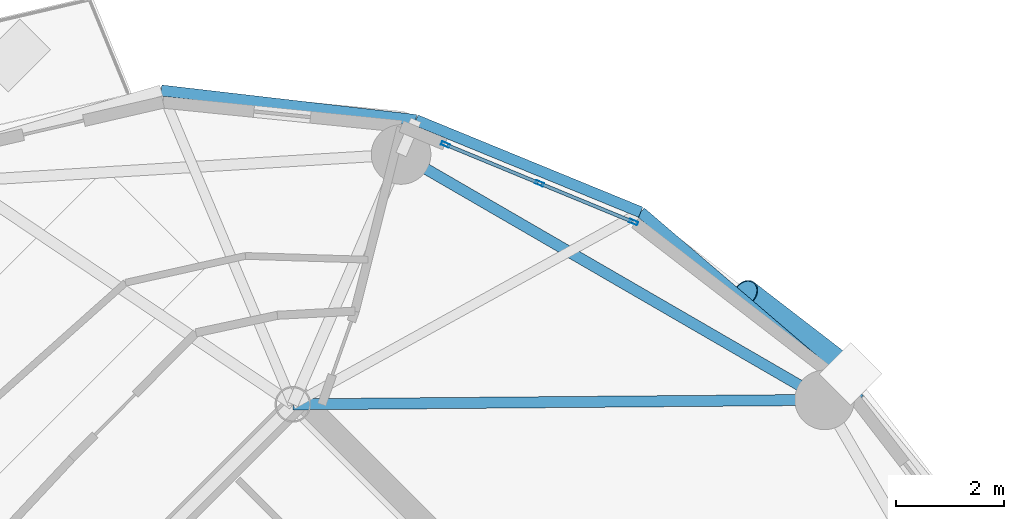
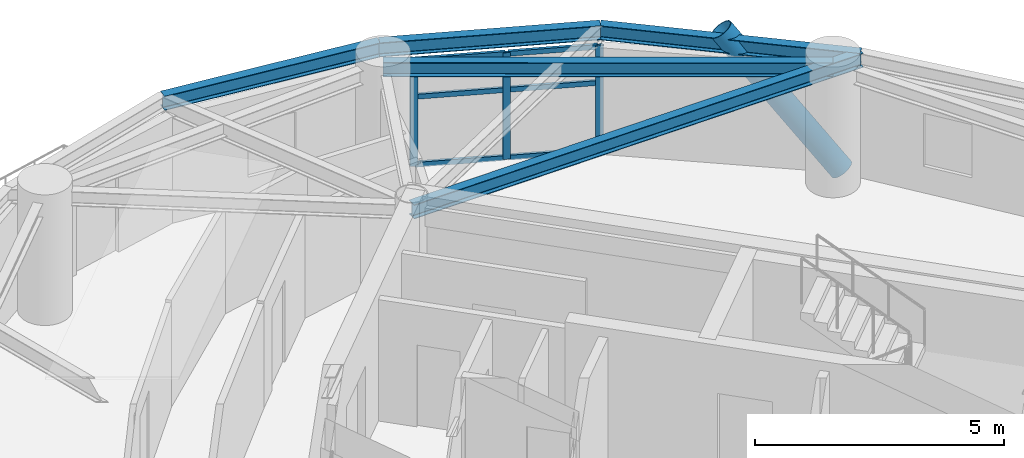
# One storey, part 5 of 16: 10 members, 5 beams, 1 element without a shape of its own.
"""IFC4 building model written with IfcOpenShell, lengths in metres."""

from ifc_helpers import new_model, si_unit, direction, frame, origin, origin_2d, place, context, subcontext, project, spatial, hollow_rectangle, hollow_circle, i_section, extrude, material, layer, layer_set, material_profile, profile_set, type_object, element, aggregate, save


model = new_model("IFC4")

# Units and contexts
model_context = context("Model", 3, precision=1e-05, world=origin(), true_north=direction((0.0, 1.0)))
body_context = subcontext(model_context, "Body", "Model", "MODEL_VIEW")
ifc_project = project(units=[si_unit("LENGTHUNIT", "METRE"), si_unit("AREAUNIT", "SQUARE_METRE"), si_unit("VOLUMEUNIT", "CUBIC_METRE"), si_unit("PLANEANGLEUNIT", "RADIAN"), si_unit("MASSUNIT", "GRAM", prefix="KILO")], contexts=[model_context])

# Site, building, storey
site_placement = place(None, origin())
site = spatial("IfcSite", under=ifc_project, at=site_placement, CompositionType="ELEMENT")
building_placement = place(site_placement, origin())
building = spatial("IfcBuilding", under=site, at=building_placement, Name="Cununo Teusaquillo Station Towers", CompositionType="ELEMENT")
storey_placement = place(building_placement, frame((0.0, 0.0, 226.050048828125)))
storey = spatial("IfcBuildingStorey", under=building, at=storey_placement, Name="L72", CompositionType="ELEMENT", Elevation=226.050048828125)

# Beams
ifc_material_1 = material(Name="Steel ASTM A572 Grade 50", Category="steel")
ifc_material_profile_1 = material_profile(ifc_material_1, i_section(OverallWidth=0.2041015625, OverallDepth=0.35009765625, WebThickness=0.008544921875, FlangeThickness=0.01513671875, FilletRadius=0.011962890625, at=origin_2d()), Name="W14X48")
ifc_profile_set_1 = profile_set([ifc_material_profile_1], Name="Steel ASTM A572 Grade 50")
beam_type_1 = type_object("IfcBeamType", Name="BM-RAD-G3", PredefinedType="BEAM", material=ifc_profile_set_1)
beam_1_placement = place(storey_placement, frame((56.29443359375, 33.024169921875, 2.81494140625), z_axis=(0.999964325253, 0.008446787673, 0.0), x_axis=(-0.008446787673, 0.999964325253, 0.0)))
element("IfcBeam", 1, at=beam_1_placement, inside=storey, type_object=beam_type_1, Name="L72 Tower B Continuous Overhanging Radial Girder 01", PredefinedType="BEAM", context=body_context, shape_type="SweptSolid", body=[
    extrude(i_section(OverallWidth=0.2041015625, OverallDepth=0.35009765625, WebThickness=0.008544921875, FlangeThickness=0.01513671875, FilletRadius=0.011962890625, at=origin_2d()), origin(), (0.0, 0.0, 1.0), 10.463134765625),
])
ifc_material_2 = material(Name="Steel ASTM A572 Grade 50", Category="steel")
ifc_material_profile_2 = material_profile(ifc_material_2, i_section(OverallWidth=0.2041015625, OverallDepth=0.35009765625, WebThickness=0.008544921875, FlangeThickness=0.01513671875, FilletRadius=0.011962890625, at=origin_2d()), Name="W14X48")
ifc_profile_set_2 = profile_set([ifc_material_profile_2], Name="Steel ASTM A572 Grade 50")
beam_type_2 = type_object("IfcBeamType", Name="BM-RING-Z4", PredefinedType="SPANDREL", material=ifc_profile_set_2)
beam_2_placement = place(storey_placement, frame((66.10693359375, 33.10693359375, 2.81494140625), z_axis=(-0.865267103202, 0.501311121078, 0.0), x_axis=(-0.501311121078, -0.865267103202, 0.0)))
element("IfcBeam", 2, at=beam_2_placement, inside=storey, type_object=beam_type_2, Name="L72 Tower B Structural Column Ring Girder 01", PredefinedType="SPANDREL", context=body_context, shape_type="SweptSolid", body=[
    extrude(i_section(OverallWidth=0.2041015625, OverallDepth=0.35009765625, WebThickness=0.008544921875, FlangeThickness=0.01513671875, FilletRadius=0.011962890625, at=origin_2d()), origin(), (0.0, 0.0, 1.0), 9.032958984375),
])
beam_3_placement = place(storey_placement, frame((66.757080078125, 33.112548828125, 2.81494140625), z_axis=(-0.760065778291, 0.649846145385, 0.0), x_axis=(-0.649846145385, -0.760065778291, 0.0)))
element("IfcBeam", 3, at=beam_3_placement, inside=storey, type_object=beam_type_2, Name="L72 Tower B Spandrel Ring Beam 01", PredefinedType="SPANDREL", context=body_context, shape_type="SweptSolid", body=[
    extrude(i_section(OverallWidth=0.2041015625, OverallDepth=0.35009765625, WebThickness=0.008544921875, FlangeThickness=0.01513671875, FilletRadius=0.011962890625, at=origin_2d()), origin(), (0.0, 0.0, 1.0), 5.320556640625),
])
beam_4_placement = place(storey_placement, frame((62.713134765625, 36.570068359375, 2.81494140625), z_axis=(-0.925283830437, 0.379275405388, 0.0), x_axis=(-0.379275405388, -0.925283830437, 0.0)))
element("IfcBeam", 4, at=beam_4_placement, inside=storey, type_object=beam_type_2, Name="L72 Tower B Spandrel Ring Beam 02", PredefinedType="SPANDREL", context=body_context, shape_type="SweptSolid", body=[
    extrude(i_section(OverallWidth=0.2041015625, OverallDepth=0.35009765625, WebThickness=0.008544921875, FlangeThickness=0.01513671875, FilletRadius=0.011962890625, at=origin_2d()), origin(), (0.0, 0.0, 1.0), 4.482177734375),
])
beam_5_placement = place(storey_placement, frame((58.56591796875, 38.27001953125, 2.81494140625), z_axis=(-0.993313022334, 0.115452326356, 0.0), x_axis=(-0.115452326356, -0.993313022334, 0.0)))
element("IfcBeam", 5, at=beam_5_placement, inside=storey, type_object=beam_type_2, Name="L72 Tower B Spandrel Ring Beam 03", PredefinedType="SPANDREL", context=body_context, shape_type="SweptSolid", body=[
    extrude(i_section(OverallWidth=0.2041015625, OverallDepth=0.35009765625, WebThickness=0.008544921875, FlangeThickness=0.01513671875, FilletRadius=0.011962890625, at=origin_2d()), origin(), (0.0, 0.0, 1.0), 4.732666015625),
])

# Curtain wall, members
ifc_material_3 = material(Name="Ceramic-fritted dark low-E double glazing", Category="glass")
ifc_layer = layer(ifc_material_3, 0.179931640625)
ifc_layer_set = layer_set([ifc_layer], Name="Ceramic-fritted dark low-E double glazing")
curtain_wall_type = type_object("IfcCurtainWallType", Name="CW-SYS-07", PredefinedType="USERDEFINED", material=ifc_layer_set)
curtain_wall_placement = place(storey_placement, origin())
curtain_wall = element("IfcCurtainWall", 6, at=curtain_wall_placement, inside=storey, type_object=curtain_wall_type, Name="L72 Tower B Facade Curtain Wall C01", ObjectType="FRITTED GLAZING", PredefinedType="USERDEFINED")
ifc_material_4 = material(Name="Anodised dark bronze aluminium EN AW-6063-T6", Category="aluminium")
ifc_material_profile_3 = material_profile(ifc_material_4, hollow_rectangle(XDim=0.06494140625, YDim=0.159912109375, WallThickness=0.00390625, at=origin_2d()), Name="CW-MULL-65x160")
ifc_profile_set_3 = profile_set([ifc_material_profile_3], Name="Anodised dark bronze aluminium EN AW-6063-T6")
member_type_1 = type_object("IfcMemberType", Name="CWM-160", PredefinedType="MULLION", material=ifc_profile_set_3)
member_1_placement = place(storey_placement, frame((59.111328125, 37.818359375, 0.0), z_axis=(0.0, 0.0, 1.0), x_axis=(0.381310513086, 0.924447019904, 0.0)))
member_1 = element("IfcMember", 7, at=member_1_placement, type_object=member_type_1, Name="CW-07 mullion 1", PredefinedType="MULLION", context=body_context, shape_type="SweptSolid", body=[
    extrude(hollow_rectangle(XDim=0.06494140625, YDim=0.159912109375, WallThickness=0.00390625, at=origin_2d()), origin(), (0.0, 0.0, 1.0), 2.612060546875),
])
member_2_placement = place(storey_placement, frame((60.84716796875, 37.102294921875, 0.0), z_axis=(0.0, 0.0, 1.0), x_axis=(0.381310513086, 0.924447019904, 0.0)))
member_2 = element("IfcMember", 8, at=member_2_placement, type_object=member_type_1, Name="CW-07 mullion 2", PredefinedType="MULLION", context=body_context, shape_type="SweptSolid", body=[
    extrude(hollow_rectangle(XDim=0.06494140625, YDim=0.159912109375, WallThickness=0.00390625, at=origin_2d()), origin(), (0.0, 0.0, 1.0), 2.612060546875),
])
member_3_placement = place(storey_placement, frame((62.583251953125, 36.38623046875, 0.0), z_axis=(0.0, 0.0, 1.0), x_axis=(0.381310513086, 0.924447019904, 0.0)))
member_3 = element("IfcMember", 9, at=member_3_placement, type_object=member_type_1, Name="CW-07 mullion 3", PredefinedType="MULLION", context=body_context, shape_type="SweptSolid", body=[
    extrude(hollow_rectangle(XDim=0.06494140625, YDim=0.159912109375, WallThickness=0.00390625, at=origin_2d()), origin(), (0.0, 0.0, 1.0), 2.612060546875),
])
ifc_material_5 = material(Name="Anodised dark bronze aluminium EN AW-6063-T6", Category="aluminium")
ifc_material_profile_4 = material_profile(ifc_material_5, hollow_rectangle(XDim=0.06494140625, YDim=0.1201171875, WallThickness=0.00390625, at=origin_2d()), Name="CW-TRAN-65x120")
ifc_profile_set_4 = profile_set([ifc_material_profile_4], Name="Anodised dark bronze aluminium EN AW-6063-T6")
member_type_2 = type_object("IfcMemberType", Name="CWT-120", PredefinedType="USERDEFINED", material=ifc_profile_set_4)
member_4_placement = place(storey_placement, frame((59.141357421875, 37.805908203125, 0.032470703125), z_axis=(0.924457591038, -0.381284883483, 0.0), x_axis=(0.381284883483, 0.924457591038, 0.0)))
member_4 = element("IfcMember", 10, at=member_4_placement, type_object=member_type_2, Name="CW-07 transom 1.1", ObjectType="TRANSOM", PredefinedType="USERDEFINED", context=body_context, shape_type="SweptSolid", body=[
    extrude(hollow_rectangle(XDim=0.06494140625, YDim=0.1201171875, WallThickness=0.00390625, at=origin_2d()), origin(), (0.0, 0.0, 1.0), 1.812744140625),
])
member_5_placement = place(storey_placement, frame((59.141357421875, 37.805908203125, 1.697998046875), z_axis=(0.924457591038, -0.381284883483, 0.0), x_axis=(0.381284883483, 0.924457591038, 0.0)))
member_5 = element("IfcMember", 11, at=member_5_placement, type_object=member_type_2, Name="CW-07 transom 1.2", ObjectType="TRANSOM", PredefinedType="USERDEFINED", context=body_context, shape_type="SweptSolid", body=[
    extrude(hollow_rectangle(XDim=0.06494140625, YDim=0.1201171875, WallThickness=0.00390625, at=origin_2d()), origin(), (0.0, 0.0, 1.0), 1.812744140625),
])
member_6_placement = place(storey_placement, frame((59.141357421875, 37.805908203125, 2.579345703125), z_axis=(0.924457591038, -0.381284883483, 0.0), x_axis=(0.381284883483, 0.924457591038, 0.0)))
member_6 = element("IfcMember", 12, at=member_6_placement, type_object=member_type_2, Name="CW-07 transom 1.3", ObjectType="TRANSOM", PredefinedType="USERDEFINED", context=body_context, shape_type="SweptSolid", body=[
    extrude(hollow_rectangle(XDim=0.06494140625, YDim=0.1201171875, WallThickness=0.00390625, at=origin_2d()), origin(), (0.0, 0.0, 1.0), 1.812744140625),
])
member_7_placement = place(storey_placement, frame((60.877197265625, 37.08984375, 0.032470703125), z_axis=(0.92447716721, -0.381237415932, 0.0), x_axis=(0.381237415932, 0.92447716721, 0.0)))
member_7 = element("IfcMember", 13, at=member_7_placement, type_object=member_type_2, Name="CW-07 transom 2.1", ObjectType="TRANSOM", PredefinedType="USERDEFINED", context=body_context, shape_type="SweptSolid", body=[
    extrude(hollow_rectangle(XDim=0.06494140625, YDim=0.1201171875, WallThickness=0.00390625, at=origin_2d()), origin(), (0.0, 0.0, 1.0), 1.81298828125),
])
member_8_placement = place(storey_placement, frame((60.877197265625, 37.08984375, 1.697998046875), z_axis=(0.92447716721, -0.381237415932, 0.0), x_axis=(0.381237415932, 0.92447716721, 0.0)))
member_8 = element("IfcMember", 14, at=member_8_placement, type_object=member_type_2, Name="CW-07 transom 2.2", ObjectType="TRANSOM", PredefinedType="USERDEFINED", context=body_context, shape_type="SweptSolid", body=[
    extrude(hollow_rectangle(XDim=0.06494140625, YDim=0.1201171875, WallThickness=0.00390625, at=origin_2d()), origin(), (0.0, 0.0, 1.0), 1.81298828125),
])
member_9_placement = place(storey_placement, frame((60.877197265625, 37.08984375, 2.579345703125), z_axis=(0.92447716721, -0.381237415932, 0.0), x_axis=(0.381237415932, 0.92447716721, 0.0)))
member_9 = element("IfcMember", 15, at=member_9_placement, type_object=member_type_2, Name="CW-07 transom 2.3", ObjectType="TRANSOM", PredefinedType="USERDEFINED", context=body_context, shape_type="SweptSolid", body=[
    extrude(hollow_rectangle(XDim=0.06494140625, YDim=0.1201171875, WallThickness=0.00390625, at=origin_2d()), origin(), (0.0, 0.0, 1.0), 1.81298828125),
])
aggregate(curtain_wall, [member_1, member_2, member_3, member_4, member_5, member_6, member_7, member_8, member_9])

# Member
ifc_material_6 = material(Name="Steel EN 10025-2 S355J2", Category="steel")
ifc_material_profile_5 = material_profile(ifc_material_6, hollow_circle(Radius=0.25390625, WallThickness=0.01806640625, at=origin_2d()), Name="CHS 508x18")
ifc_profile_set_5 = profile_set([ifc_material_profile_5], Name="Steel EN 10025-2 S355J2")
member_type_3 = type_object("IfcMemberType", Name="MBR-DIAG-Z4", PredefinedType="BRACE", material=ifc_profile_set_5)
member_10_placement = place(storey_placement, frame((66.586181640625, 33.586181640625, -0.14013671875), z_axis=(-0.480876894201, 0.370478908278, 0.794671498888), x_axis=(-0.610304239587, -0.792167113141, 0.0)))
element("IfcMember", 16, at=member_10_placement, inside=storey, type_object=member_type_3, Name="L72 Tower B Folded-Zigzag Diagrid Tube C00", PredefinedType="BRACE", context=body_context, shape_type="SweptSolid", body=[
    extrude(hollow_circle(Radius=0.25390625, WallThickness=0.01806640625, at=origin_2d()), origin(), (0.0, 0.0, 1.0), 4.027099609375),
])

save(model, "model.ifc")
